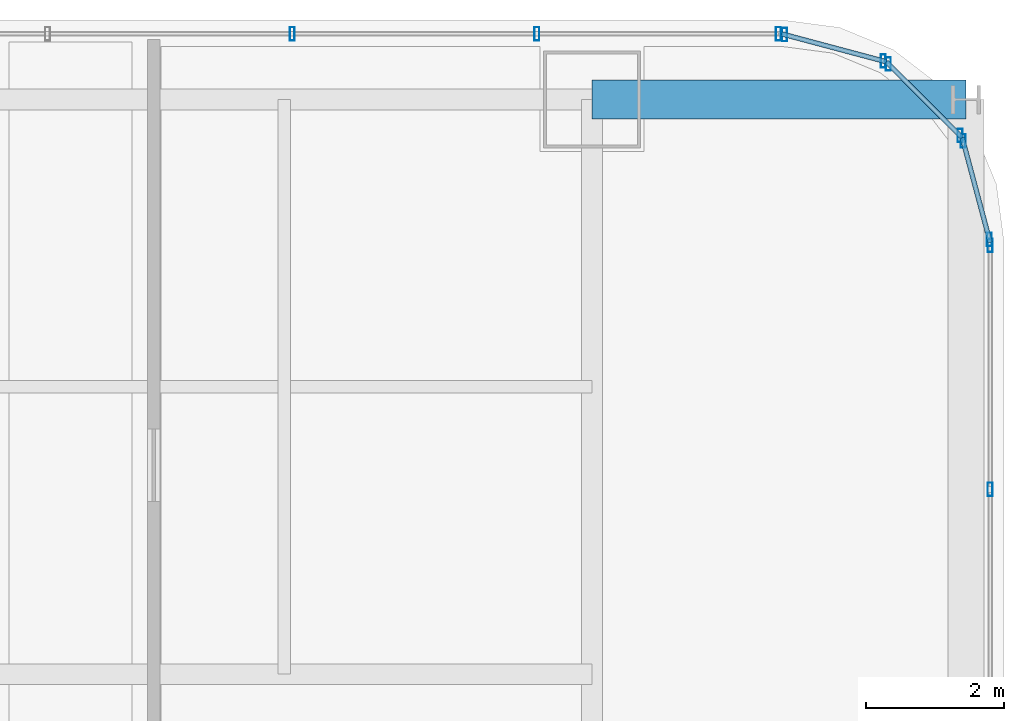
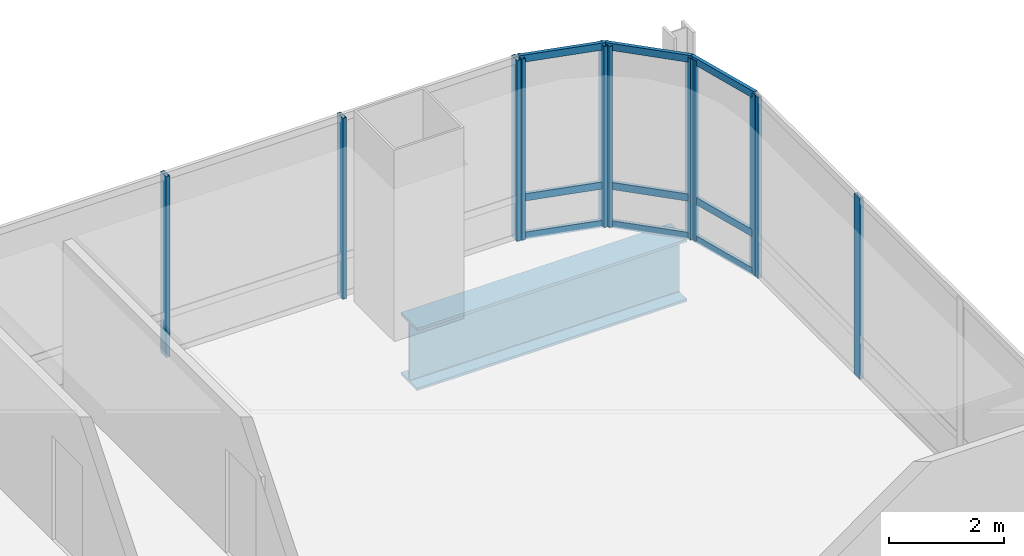
# One storey, part 26 of 36: 20 members, 1 beam, 5 elements without a shape of their own.
"""IFC4 building model written with IfcOpenShell, lengths in metres."""

from ifc_helpers import new_model, si_unit, direction, frame, origin, origin_2d, place, context, subcontext, project, spatial, hollow_rectangle, i_section, extrude, material, material_profile, profile_set, type_object, element, aggregate, save


model = new_model("IFC4")

# Units and contexts
model_context = context("Model", 3, precision=1e-05, world=origin(), true_north=direction((0.0, 1.0)))
body_context = subcontext(model_context, "Body", "Model", "MODEL_VIEW")
ifc_project = project(units=[si_unit("LENGTHUNIT", "METRE"), si_unit("AREAUNIT", "SQUARE_METRE"), si_unit("VOLUMEUNIT", "CUBIC_METRE"), si_unit("PLANEANGLEUNIT", "RADIAN"), si_unit("MASSUNIT", "GRAM", prefix="KILO")], contexts=[model_context])

# Site, building, storey
site_placement = place(None, origin())
site = spatial("IfcSite", under=ifc_project, at=site_placement, CompositionType="ELEMENT")
building_placement = place(site_placement, origin())
building = spatial("IfcBuilding", under=site, at=building_placement, Name="Punatoya Terracotta Tower", CompositionType="ELEMENT")
storey_placement = place(building_placement, frame((0.0, 0.0, 208.64990234375)))
storey = spatial("IfcBuildingStorey", under=building, at=storey_placement, Name="L49", CompositionType="ELEMENT", Elevation=208.64990234375)

# Beam
ifc_material_1 = material(Name="Steel S460", Category="steel")
ifc_material_profile_1 = material_profile(ifc_material_1, i_section(OverallWidth=0.56005859375, OverallDepth=1.320068359375, WebThickness=0.035888671875, FlangeThickness=0.054931640625, FilletRadius=0.01806640625, at=origin_2d()))
ifc_profile_set_1 = profile_set([ifc_material_profile_1], Name="Steel S460")
beam_type = type_object("IfcBeamType", Name="BM-TG-BLK", PredefinedType="BEAM", material=ifc_profile_set_1)
beam_placement = place(storey_placement, frame((19.10009765625, 17.5, -0.8798828125), z_axis=(1.0, 0.0, 0.0), x_axis=(0.0, 1.0, 0.0)))
element("IfcBeam", 1, at=beam_placement, inside=storey, type_object=beam_type, Name="BM-L49-CANT-E4", PredefinedType="BEAM", context=body_context, shape_type="SweptSolid", body=[
    extrude(i_section(OverallWidth=0.56005859375, OverallDepth=1.320068359375, WebThickness=0.035888671875, FlangeThickness=0.054931640625, FilletRadius=0.01806640625, at=origin_2d()), origin(), (0.0, 0.0, 1.0), 5.39990234375),
])

# Curtain wall, members
ifc_material_2 = material(Name="Aluminium 6063-T6 + Double Low-E Glass", Category="aluminium")
curtain_wall_type = type_object("IfcCurtainWallType", Name="CW-M2", PredefinedType="NOTDEFINED", material=ifc_material_2)
curtain_wall_1_placement = place(storey_placement, origin())
curtain_wall_1 = element("IfcCurtainWall", 2, at=curtain_wall_1_placement, inside=storey, type_object=curtain_wall_type, Name="L49 Curtain Wall CW-L49-E05-1", PredefinedType="NOTDEFINED")
ifc_material_3 = material(Name="Aluminium 6063-T6", Category="aluminium")
ifc_material_profile_2 = material_profile(ifc_material_3, hollow_rectangle(XDim=0.072021484375, YDim=0.195068359375, WallThickness=0.00439453125, at=origin_2d()))
ifc_profile_set_2 = profile_set([ifc_material_profile_2], Name="Aluminium 6063-T6")
member_type_1 = type_object("IfcMemberType", Name="CW-MUL-M2", PredefinedType="MULLION", material=ifc_profile_set_2)
member_1_placement = place(storey_placement, frame((24.85009765625, 11.869384765625, 0.0), z_axis=(0.0, 0.0, 1.0), x_axis=(1.0, 0.0, 0.0)))
member_1 = element("IfcMember", 3, at=member_1_placement, type_object=member_type_1, Name="CW-L49-E05-1 Mullion 09", PredefinedType="MULLION", context=body_context, shape_type="SweptSolid", body=[
    extrude(hollow_rectangle(XDim=0.072021484375, YDim=0.195068359375, WallThickness=0.00439453125, at=origin_2d()), origin(), (0.0, 0.0, 1.0), 3.830078125),
])
member_2_placement = place(storey_placement, frame((24.85009765625, 15.391845703125, 0.0), z_axis=(0.0, 0.0, 1.0), x_axis=(1.0, 0.0, 0.0)))
member_2 = element("IfcMember", 4, at=member_2_placement, type_object=member_type_1, Name="CW-L49-E05-1 Mullion 10", PredefinedType="MULLION", context=body_context, shape_type="SweptSolid", body=[
    extrude(hollow_rectangle(XDim=0.072021484375, YDim=0.195068359375, WallThickness=0.00439453125, at=origin_2d()), origin(), (0.0, 0.0, 1.0), 3.830078125),
])
aggregate(curtain_wall_1, [member_1, member_2])

curtain_wall_2_placement = place(storey_placement, origin())
curtain_wall_2 = element("IfcCurtainWall", 5, at=curtain_wall_2_placement, inside=storey, type_object=curtain_wall_type, Name="L49 Curtain Wall CW-L49-CRN06", PredefinedType="NOTDEFINED")
member_3_placement = place(storey_placement, frame((24.83837890625, 15.48046875, 0.0), z_axis=(0.0, 0.0, 1.0), x_axis=(1.0, 0.0, 0.0)))
member_3 = element("IfcMember", 6, at=member_3_placement, type_object=member_type_1, Name="CW-L49-CRN06 Mullion 00", PredefinedType="MULLION", context=body_context, shape_type="SweptSolid", body=[
    extrude(hollow_rectangle(XDim=0.072021484375, YDim=0.195068359375, WallThickness=0.00439453125, at=origin_2d()), origin(), (0.0, 0.0, 1.0), 3.830078125),
])
member_4_placement = place(storey_placement, frame((24.458251953125, 16.905517578125, 0.0), z_axis=(0.0, 0.0, 1.0), x_axis=(1.0, 0.0, 0.0)))
member_4 = element("IfcMember", 7, at=member_4_placement, type_object=member_type_1, Name="CW-L49-CRN06 Mullion 01", PredefinedType="MULLION", context=body_context, shape_type="SweptSolid", body=[
    extrude(hollow_rectangle(XDim=0.072021484375, YDim=0.195068359375, WallThickness=0.00439453125, at=origin_2d()), origin(), (0.0, 0.0, 1.0), 3.830078125),
])

curtain_wall_3_placement = place(storey_placement, origin())
curtain_wall_3 = element("IfcCurtainWall", 8, at=curtain_wall_3_placement, inside=storey, type_object=curtain_wall_type, Name="L49 Curtain Wall CW-L49-CRN07", PredefinedType="NOTDEFINED")
member_5_placement = place(storey_placement, frame((24.414794921875, 16.98095703125, 0.0), z_axis=(0.0, 0.0, 1.0), x_axis=(1.0, 0.0, 0.0)))
member_5 = element("IfcMember", 9, at=member_5_placement, type_object=member_type_1, Name="CW-L49-CRN07 Mullion 00", PredefinedType="MULLION", context=body_context, shape_type="SweptSolid", body=[
    extrude(hollow_rectangle(XDim=0.072021484375, YDim=0.195068359375, WallThickness=0.00439453125, at=origin_2d()), origin(), (0.0, 0.0, 1.0), 3.830078125),
])
member_6_placement = place(storey_placement, frame((23.380859375, 18.014892578125, 0.0), z_axis=(0.0, 0.0, 1.0), x_axis=(1.0, 0.0, 0.0)))
member_6 = element("IfcMember", 10, at=member_6_placement, type_object=member_type_1, Name="CW-L49-CRN07 Mullion 01", PredefinedType="MULLION", context=body_context, shape_type="SweptSolid", body=[
    extrude(hollow_rectangle(XDim=0.072021484375, YDim=0.195068359375, WallThickness=0.00439453125, at=origin_2d()), origin(), (0.0, 0.0, 1.0), 3.830078125),
])

curtain_wall_4_placement = place(storey_placement, origin())
curtain_wall_4 = element("IfcCurtainWall", 11, at=curtain_wall_4_placement, inside=storey, type_object=curtain_wall_type, Name="L49 Curtain Wall CW-L49-CRN08", PredefinedType="NOTDEFINED")
member_7_placement = place(storey_placement, frame((23.3056640625, 18.05810546875, 0.0), z_axis=(0.0, 0.0, 1.0), x_axis=(1.0, 0.0, 0.0)))
member_7 = element("IfcMember", 12, at=member_7_placement, type_object=member_type_1, Name="CW-L49-CRN08 Mullion 00", PredefinedType="MULLION", context=body_context, shape_type="SweptSolid", body=[
    extrude(hollow_rectangle(XDim=0.072021484375, YDim=0.195068359375, WallThickness=0.00439453125, at=origin_2d()), origin(), (0.0, 0.0, 1.0), 3.830078125),
])
member_8_placement = place(storey_placement, frame((21.88037109375, 18.4384765625, 0.0), z_axis=(0.0, 0.0, 1.0), x_axis=(1.0, 0.0, 0.0)))
member_8 = element("IfcMember", 13, at=member_8_placement, type_object=member_type_1, Name="CW-L49-CRN08 Mullion 01", PredefinedType="MULLION", context=body_context, shape_type="SweptSolid", body=[
    extrude(hollow_rectangle(XDim=0.072021484375, YDim=0.195068359375, WallThickness=0.00439453125, at=origin_2d()), origin(), (0.0, 0.0, 1.0), 3.830078125),
])

curtain_wall_5_placement = place(storey_placement, origin())
curtain_wall_5 = element("IfcCurtainWall", 14, at=curtain_wall_5_placement, inside=storey, type_object=curtain_wall_type, Name="L49 Curtain Wall CW-L49-N09-1", PredefinedType="NOTDEFINED")
member_9_placement = place(storey_placement, frame((21.7919921875, 18.449951171875, 0.0), z_axis=(0.0, 0.0, 1.0), x_axis=(1.0, 0.0, 0.0)))
member_9 = element("IfcMember", 15, at=member_9_placement, type_object=member_type_1, Name="CW-L49-N09-1 Mullion 00", PredefinedType="MULLION", context=body_context, shape_type="SweptSolid", body=[
    extrude(hollow_rectangle(XDim=0.072021484375, YDim=0.195068359375, WallThickness=0.00439453125, at=origin_2d()), origin(), (0.0, 0.0, 1.0), 3.830078125),
])
member_10_placement = place(storey_placement, frame((18.302978515625, 18.449951171875, 0.0), z_axis=(0.0, 0.0, 1.0), x_axis=(1.0, 0.0, 0.0)))
member_10 = element("IfcMember", 16, at=member_10_placement, type_object=member_type_1, Name="CW-L49-N09-1 Mullion 01", PredefinedType="MULLION", context=body_context, shape_type="SweptSolid", body=[
    extrude(hollow_rectangle(XDim=0.072021484375, YDim=0.195068359375, WallThickness=0.00439453125, at=origin_2d()), origin(), (0.0, 0.0, 1.0), 3.830078125),
])
member_11_placement = place(storey_placement, frame((14.768798828125, 18.449951171875, 0.0), z_axis=(0.0, 0.0, 1.0), x_axis=(1.0, 0.0, 0.0)))
member_11 = element("IfcMember", 17, at=member_11_placement, type_object=member_type_1, Name="CW-L49-N09-1 Mullion 02", PredefinedType="MULLION", context=body_context, shape_type="SweptSolid", body=[
    extrude(hollow_rectangle(XDim=0.072021484375, YDim=0.195068359375, WallThickness=0.00439453125, at=origin_2d()), origin(), (0.0, 0.0, 1.0), 3.830078125),
])
aggregate(curtain_wall_5, [member_9, member_10, member_11])

# Member
ifc_material_profile_3 = material_profile(ifc_material_3, hollow_rectangle(XDim=0.068115234375, YDim=0.14990234375, WallThickness=0.00390625, at=origin_2d()))
ifc_profile_set_3 = profile_set([ifc_material_profile_3], Name="Aluminium 6063-T6")
member_type_2 = type_object("IfcMemberType", Name="CW-TRN-TYP", PredefinedType="USERDEFINED", material=ifc_profile_set_3)
member_12_placement = place(storey_placement, frame((24.85009765625, 15.43701171875, 0.0400390625), z_axis=(-0.257847112249, 0.966185730957, 0.0), x_axis=(-0.966185730957, -0.257847112249, 0.0)))
member_12 = element("IfcMember", 18, at=member_12_placement, type_object=member_type_2, Name="CW-L49-CRN06 Transom 1", ObjectType="TRANSOM", PredefinedType="USERDEFINED", context=body_context, shape_type="SweptSolid", body=[
    extrude(hollow_rectangle(XDim=0.068115234375, YDim=0.14990234375, WallThickness=0.00390625, at=origin_2d()), origin(), (0.0, 0.0, 1.0), 1.565185546875),
])

member_13_placement = place(storey_placement, frame((24.85009765625, 15.43701171875, 0.85009765625), z_axis=(-0.257847112249, 0.966185730957, 0.0), x_axis=(-0.966185730957, -0.257847112249, 0.0)))
member_13 = element("IfcMember", 19, at=member_13_placement, type_object=member_type_2, Name="CW-L49-CRN06 Transom 2", ObjectType="TRANSOM", PredefinedType="USERDEFINED", context=body_context, shape_type="SweptSolid", body=[
    extrude(hollow_rectangle(XDim=0.068115234375, YDim=0.14990234375, WallThickness=0.00390625, at=origin_2d()), origin(), (0.0, 0.0, 1.0), 1.565185546875),
])

member_14_placement = place(storey_placement, frame((24.85009765625, 15.43701171875, 3.7900390625), z_axis=(-0.257847112249, 0.966185730957, 0.0), x_axis=(-0.966185730957, -0.257847112249, 0.0)))
member_14 = element("IfcMember", 20, at=member_14_placement, type_object=member_type_2, Name="CW-L49-CRN06 Transom 3", ObjectType="TRANSOM", PredefinedType="USERDEFINED", context=body_context, shape_type="SweptSolid", body=[
    extrude(hollow_rectangle(XDim=0.068115234375, YDim=0.14990234375, WallThickness=0.00390625, at=origin_2d()), origin(), (0.0, 0.0, 1.0), 1.565185546875),
])

aggregate(curtain_wall_2, [member_3, member_4, member_12, member_13, member_14])

member_15_placement = place(storey_placement, frame((24.446533203125, 16.94921875, 0.0400390625), z_axis=(-0.707106781187, 0.707106781187, 0.0), x_axis=(-0.707106781187, -0.707106781187, 0.0)))
member_15 = element("IfcMember", 21, at=member_15_placement, type_object=member_type_2, Name="CW-L49-CRN07 Transom 1", ObjectType="TRANSOM", PredefinedType="USERDEFINED", context=body_context, shape_type="SweptSolid", body=[
    extrude(hollow_rectangle(XDim=0.068115234375, YDim=0.14990234375, WallThickness=0.00390625, at=origin_2d()), origin(), (0.0, 0.0, 1.0), 1.552001953125),
])

member_16_placement = place(storey_placement, frame((24.446533203125, 16.94921875, 0.85009765625), z_axis=(-0.707106781187, 0.707106781187, 0.0), x_axis=(-0.707106781187, -0.707106781187, 0.0)))
member_16 = element("IfcMember", 22, at=member_16_placement, type_object=member_type_2, Name="CW-L49-CRN07 Transom 2", ObjectType="TRANSOM", PredefinedType="USERDEFINED", context=body_context, shape_type="SweptSolid", body=[
    extrude(hollow_rectangle(XDim=0.068115234375, YDim=0.14990234375, WallThickness=0.00390625, at=origin_2d()), origin(), (0.0, 0.0, 1.0), 1.552001953125),
])

member_17_placement = place(storey_placement, frame((24.446533203125, 16.94921875, 3.7900390625), z_axis=(-0.707106781187, 0.707106781187, 0.0), x_axis=(-0.707106781187, -0.707106781187, 0.0)))
member_17 = element("IfcMember", 23, at=member_17_placement, type_object=member_type_2, Name="CW-L49-CRN07 Transom 3", ObjectType="TRANSOM", PredefinedType="USERDEFINED", context=body_context, shape_type="SweptSolid", body=[
    extrude(hollow_rectangle(XDim=0.068115234375, YDim=0.14990234375, WallThickness=0.00390625, at=origin_2d()), origin(), (0.0, 0.0, 1.0), 1.552001953125),
])

aggregate(curtain_wall_3, [member_5, member_6, member_15, member_16, member_17])

member_18_placement = place(storey_placement, frame((23.34912109375, 18.046630859375, 0.0400390625), z_axis=(-0.966224582397, 0.257701486942, 0.0), x_axis=(-0.257701486942, -0.966224582397, 0.0)))
member_18 = element("IfcMember", 24, at=member_18_placement, type_object=member_type_2, Name="CW-L49-CRN08 Transom 1", ObjectType="TRANSOM", PredefinedType="USERDEFINED", context=body_context, shape_type="SweptSolid", body=[
    extrude(hollow_rectangle(XDim=0.068115234375, YDim=0.14990234375, WallThickness=0.00390625, at=origin_2d()), origin(), (0.0, 0.0, 1.0), 1.565185546875),
])

member_19_placement = place(storey_placement, frame((23.34912109375, 18.046630859375, 0.85009765625), z_axis=(-0.966224582397, 0.257701486942, 0.0), x_axis=(-0.257701486942, -0.966224582397, 0.0)))
member_19 = element("IfcMember", 25, at=member_19_placement, type_object=member_type_2, Name="CW-L49-CRN08 Transom 2", ObjectType="TRANSOM", PredefinedType="USERDEFINED", context=body_context, shape_type="SweptSolid", body=[
    extrude(hollow_rectangle(XDim=0.068115234375, YDim=0.14990234375, WallThickness=0.00390625, at=origin_2d()), origin(), (0.0, 0.0, 1.0), 1.565185546875),
])

member_20_placement = place(storey_placement, frame((23.34912109375, 18.046630859375, 3.7900390625), z_axis=(-0.966224582397, 0.257701486942, 0.0), x_axis=(-0.257701486942, -0.966224582397, 0.0)))
member_20 = element("IfcMember", 26, at=member_20_placement, type_object=member_type_2, Name="CW-L49-CRN08 Transom 3", ObjectType="TRANSOM", PredefinedType="USERDEFINED", context=body_context, shape_type="SweptSolid", body=[
    extrude(hollow_rectangle(XDim=0.068115234375, YDim=0.14990234375, WallThickness=0.00390625, at=origin_2d()), origin(), (0.0, 0.0, 1.0), 1.565185546875),
])

aggregate(curtain_wall_4, [member_7, member_8, member_18, member_19, member_20])

save(model, "model.ifc")
